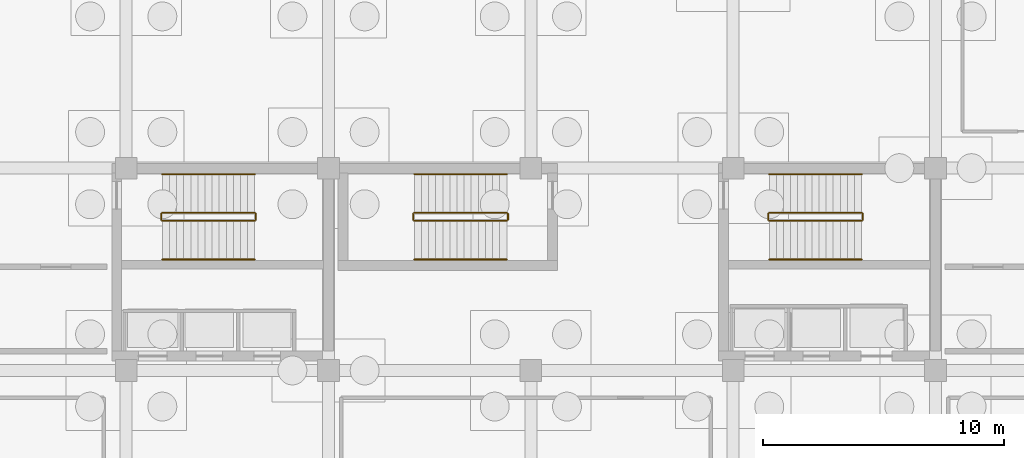
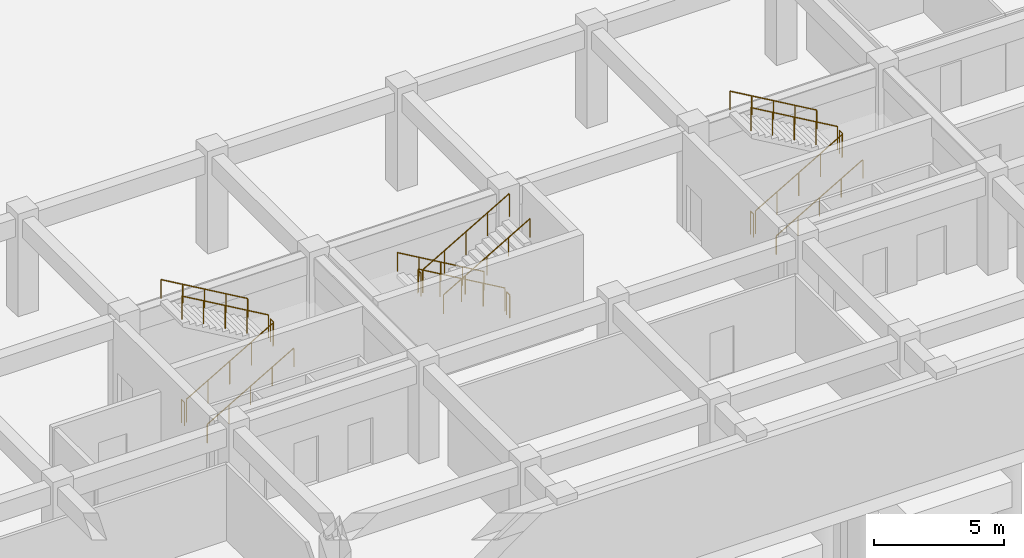
# One storey, part 27 of 35: 18 railings.
"""IFC4 building model written with IfcOpenShell, lengths in metres."""

from ifc_helpers import new_model, si_unit, direction, frame, origin, origin_2d, place, context, subcontext, project, spatial, circle, extrude, material, type_object, element, save


model = new_model("IFC4")

# Units and contexts
model_context = context("Model", 3, precision=1e-05, world=origin(), true_north=direction((0.0, 1.0)))
body_context = subcontext(model_context, "Body", "Model", "MODEL_VIEW")
ifc_project = project(units=[si_unit("LENGTHUNIT", "METRE"), si_unit("AREAUNIT", "SQUARE_METRE"), si_unit("VOLUMEUNIT", "CUBIC_METRE"), si_unit("PLANEANGLEUNIT", "RADIAN"), si_unit("MASSUNIT", "GRAM", prefix="KILO")], contexts=[model_context])

# Site, building, storey
site_placement = place(None, origin())
site = spatial("IfcSite", under=ifc_project, at=site_placement, CompositionType="ELEMENT")
building_placement = place(site_placement, origin())
building = spatial("IfcBuilding", under=site, at=building_placement, Name="Zayran Congress Hotel", CompositionType="ELEMENT")
storey_placement = place(building_placement, frame((0.0, 0.0, -4.800048828125)))
storey = spatial("IfcBuildingStorey", under=building, at=storey_placement, Name="B1", CompositionType="ELEMENT", Elevation=-4.800048828125)

# Railings
ifc_material_1 = material(Name="Painted steel balustrade", Category="steel")
railing_type_1 = type_object("IfcRailingType", Name="TP-GRD-INT", PredefinedType="GUARDRAIL", material=ifc_material_1)
railing_1_placement = place(storey_placement, frame((26.699951171875, 23.409912109375, 0.17138671875)))
element("IfcRailing", 1, at=railing_1_placement, inside=storey, type_object=railing_type_1, Name="B1 ST-01 stair guard 1", PredefinedType="GUARDRAIL", context=body_context, shape_type="SweptSolid", body=[
    extrude(circle(Radius=0.02392578125, at=origin_2d()), frame((0.0, 0.0, 1.076171875), z_axis=(0.864592272851, 0.0, 0.502474080651), x_axis=(0.0, 1.0, 0.0)), (0.0, 0.0, 1.0), 4.435546875),
    extrude(circle(Radius=0.02099609375, at=origin_2d()), origin(), (0.0, 0.0, 1.0), 1.052001953125),
    extrude(circle(Radius=0.02099609375, at=origin_2d()), frame((0.958740234375, 0.0, 0.55712890625)), (0.0, 0.0, 1.0), 1.052001953125),
    extrude(circle(Radius=0.02099609375, at=origin_2d()), frame((1.91748046875, 0.0, 1.1142578125)), (0.0, 0.0, 1.0), 1.052001953125),
    extrude(circle(Radius=0.02099609375, at=origin_2d()), frame((2.876220703125, 0.0, 1.671630859375)), (0.0, 0.0, 1.0), 1.052001953125),
    extrude(circle(Radius=0.02099609375, at=origin_2d()), frame((3.8349609375, 0.0, 2.228759765625)), (0.0, 0.0, 1.0), 1.052001953125),
])
railing_2_placement = place(storey_placement, frame((30.5849609375, 23.4599609375, 2.400146484375)))
element("IfcRailing", 2, at=railing_2_placement, inside=storey, type_object=railing_type_1, Name="B1 ST-01 stair guard 2", PredefinedType="GUARDRAIL", context=body_context, shape_type="SweptSolid", body=[
    extrude(circle(Radius=0.02392578125, at=origin_2d()), frame((0.0, 0.0, 1.076171875), z_axis=(0.0, 1.0, 0.0), x_axis=(-1.0, 0.0, 0.0)), (0.0, 0.0, 1.0), 0.239990234375),
    extrude(circle(Radius=0.02099609375, at=origin_2d()), origin(), (0.0, 0.0, 1.0), 1.052001953125),
    extrude(circle(Radius=0.02099609375, at=origin_2d()), frame((0.0, 0.239990234375, 0.0)), (0.0, 0.0, 1.0), 1.052001953125),
])
railing_3_placement = place(storey_placement, frame((30.534912109375, 23.75, 2.571533203125)))
element("IfcRailing", 3, at=railing_3_placement, inside=storey, type_object=railing_type_1, Name="B1 ST-01 stair guard 3", PredefinedType="GUARDRAIL", context=body_context, shape_type="SweptSolid", body=[
    extrude(circle(Radius=0.02392578125, at=origin_2d()), frame((0.0, 0.0, 1.076171875), z_axis=(-0.86461618451, 0.0, 0.502432934314), x_axis=(0.0, -1.0, 0.0)), (0.0, 0.0, 1.0), 4.435546875),
    extrude(circle(Radius=0.02099609375, at=origin_2d()), origin(), (0.0, 0.0, 1.0), 1.052001953125),
    extrude(circle(Radius=0.02099609375, at=origin_2d()), frame((-0.958740234375, 0.0, 0.55712890625)), (0.0, 0.0, 1.0), 1.052001953125),
    extrude(circle(Radius=0.02099609375, at=origin_2d()), frame((-1.91748046875, 0.0, 1.1142578125)), (0.0, 0.0, 1.0), 1.052001953125),
    extrude(circle(Radius=0.02099609375, at=origin_2d()), frame((-2.876220703125, 0.0, 1.67138671875)), (0.0, 0.0, 1.0), 1.052001953125),
    extrude(circle(Radius=0.02099609375, at=origin_2d()), frame((-3.8349609375, 0.0, 2.228515625)), (0.0, 0.0, 1.0), 1.052001953125),
])
railing_4_placement = place(storey_placement, frame((26.64990234375, 23.4599609375, 0.0)))
element("IfcRailing", 4, at=railing_4_placement, inside=storey, type_object=railing_type_1, Name="B1 ST-01 stair guard 4", PredefinedType="GUARDRAIL", context=body_context, shape_type="SweptSolid", body=[
    extrude(circle(Radius=0.02392578125, at=origin_2d()), frame((0.0, 0.0, 1.076171875), z_axis=(0.0, 1.0, 0.0), x_axis=(-1.0, 0.0, 0.0)), (0.0, 0.0, 1.0), 0.239990234375),
    extrude(circle(Radius=0.02099609375, at=origin_2d()), origin(), (0.0, 0.0, 1.0), 1.052001953125),
    extrude(circle(Radius=0.02099609375, at=origin_2d()), frame((0.0, 0.239990234375, 0.0)), (0.0, 0.0, 1.0), 1.052001953125),
])
railing_5_placement = place(storey_placement, frame((51.89990234375, 23.409912109375, 0.17138671875)))
element("IfcRailing", 5, at=railing_5_placement, inside=storey, type_object=railing_type_1, Name="B1 ST-02 stair guard 1", PredefinedType="GUARDRAIL", context=body_context, shape_type="SweptSolid", body=[
    extrude(circle(Radius=0.02392578125, at=origin_2d()), frame((0.0, 0.0, 1.076171875), z_axis=(0.864606168755, 0.0, 0.50245016962), x_axis=(0.0, 1.0, 0.0)), (0.0, 0.0, 1.0), 4.435791015625),
    extrude(circle(Radius=0.02099609375, at=origin_2d()), origin(), (0.0, 0.0, 1.0), 1.052001953125),
    extrude(circle(Radius=0.02099609375, at=origin_2d()), frame((0.958740234375, 0.0, 0.55712890625)), (0.0, 0.0, 1.0), 1.052001953125),
    extrude(circle(Radius=0.02099609375, at=origin_2d()), frame((1.91748046875, 0.0, 1.1142578125)), (0.0, 0.0, 1.0), 1.052001953125),
    extrude(circle(Radius=0.02099609375, at=origin_2d()), frame((2.87646484375, 0.0, 1.671630859375)), (0.0, 0.0, 1.0), 1.052001953125),
    extrude(circle(Radius=0.02099609375, at=origin_2d()), frame((3.835205078125, 0.0, 2.228759765625)), (0.0, 0.0, 1.0), 1.052001953125),
])
railing_6_placement = place(storey_placement, frame((55.784912109375, 23.4599609375, 2.400146484375)))
element("IfcRailing", 6, at=railing_6_placement, inside=storey, type_object=railing_type_1, Name="B1 ST-02 stair guard 2", PredefinedType="GUARDRAIL", context=body_context, shape_type="SweptSolid", body=[
    extrude(circle(Radius=0.02392578125, at=origin_2d()), frame((0.0, 0.0, 1.076171875), z_axis=(0.0, 1.0, 0.0), x_axis=(-1.0, 0.0, 0.0)), (0.0, 0.0, 1.0), 0.239990234375),
    extrude(circle(Radius=0.02099609375, at=origin_2d()), origin(), (0.0, 0.0, 1.0), 1.052001953125),
    extrude(circle(Radius=0.02099609375, at=origin_2d()), frame((0.0, 0.239990234375, 0.0)), (0.0, 0.0, 1.0), 1.052001953125),
])
railing_7_placement = place(storey_placement, frame((55.735107421875, 23.75, 2.571533203125)))
element("IfcRailing", 7, at=railing_7_placement, inside=storey, type_object=railing_type_1, Name="B1 ST-02 stair guard 3", PredefinedType="GUARDRAIL", context=body_context, shape_type="SweptSolid", body=[
    extrude(circle(Radius=0.02392578125, at=origin_2d()), frame((0.0, 0.0, 1.076171875), z_axis=(-0.864630078522, 0.0, 0.502409023919), x_axis=(0.0, -1.0, 0.0)), (0.0, 0.0, 1.0), 4.435546875),
    extrude(circle(Radius=0.02099609375, at=origin_2d()), origin(), (0.0, 0.0, 1.0), 1.052001953125),
    extrude(circle(Radius=0.02099609375, at=origin_2d()), frame((-0.958740234375, 0.0, 0.55712890625)), (0.0, 0.0, 1.0), 1.052001953125),
    extrude(circle(Radius=0.02099609375, at=origin_2d()), frame((-1.91748046875, 0.0, 1.1142578125)), (0.0, 0.0, 1.0), 1.052001953125),
    extrude(circle(Radius=0.02099609375, at=origin_2d()), frame((-2.87646484375, 0.0, 1.67138671875)), (0.0, 0.0, 1.0), 1.052001953125),
    extrude(circle(Radius=0.02099609375, at=origin_2d()), frame((-3.835205078125, 0.0, 2.228515625)), (0.0, 0.0, 1.0), 1.052001953125),
])
railing_8_placement = place(storey_placement, frame((51.85009765625, 23.4599609375, 0.0)))
element("IfcRailing", 8, at=railing_8_placement, inside=storey, type_object=railing_type_1, Name="B1 ST-02 stair guard 4", PredefinedType="GUARDRAIL", context=body_context, shape_type="SweptSolid", body=[
    extrude(circle(Radius=0.02392578125, at=origin_2d()), frame((0.0, 0.0, 1.076171875), z_axis=(0.0, 1.0, 0.0), x_axis=(-1.0, 0.0, 0.0)), (0.0, 0.0, 1.0), 0.239990234375),
    extrude(circle(Radius=0.02099609375, at=origin_2d()), origin(), (0.0, 0.0, 1.0), 1.052001953125),
    extrude(circle(Radius=0.02099609375, at=origin_2d()), frame((0.0, 0.239990234375, 0.0)), (0.0, 0.0, 1.0), 1.052001953125),
])
railing_9_placement = place(storey_placement, frame((41.0, 23.75, 0.17138671875)))
element("IfcRailing", 9, at=railing_9_placement, inside=storey, type_object=railing_type_1, Name="B1 ST-13 stair guard 1", PredefinedType="GUARDRAIL", context=body_context, shape_type="SweptSolid", body=[
    extrude(circle(Radius=0.02392578125, at=origin_2d()), frame((0.0, 0.0, 1.076171875), z_axis=(-0.864592272851, 0.0, 0.502474080651), x_axis=(0.0, -1.0, 0.0)), (0.0, 0.0, 1.0), 4.435546875),
    extrude(circle(Radius=0.02099609375, at=origin_2d()), origin(), (0.0, 0.0, 1.0), 1.052001953125),
    extrude(circle(Radius=0.02099609375, at=origin_2d()), frame((-0.958740234375, 0.0, 0.55712890625)), (0.0, 0.0, 1.0), 1.052001953125),
    extrude(circle(Radius=0.02099609375, at=origin_2d()), frame((-1.91748046875, 0.0, 1.1142578125)), (0.0, 0.0, 1.0), 1.052001953125),
    extrude(circle(Radius=0.02099609375, at=origin_2d()), frame((-2.876220703125, 0.0, 1.671630859375)), (0.0, 0.0, 1.0), 1.052001953125),
    extrude(circle(Radius=0.02099609375, at=origin_2d()), frame((-3.8349609375, 0.0, 2.228759765625)), (0.0, 0.0, 1.0), 1.052001953125),
])
railing_10_placement = place(storey_placement, frame((37.114990234375, 23.699951171875, 2.400146484375)))
element("IfcRailing", 10, at=railing_10_placement, inside=storey, type_object=railing_type_1, Name="B1 ST-13 stair guard 2", PredefinedType="GUARDRAIL", context=body_context, shape_type="SweptSolid", body=[
    extrude(circle(Radius=0.02392578125, at=origin_2d()), frame((0.0, 0.0, 1.076171875), z_axis=(0.0, -1.0, 0.0), x_axis=(1.0, 0.0, 0.0)), (0.0, 0.0, 1.0), 0.239990234375),
    extrude(circle(Radius=0.02099609375, at=origin_2d()), origin(), (0.0, 0.0, 1.0), 1.052001953125),
    extrude(circle(Radius=0.02099609375, at=origin_2d()), frame((0.0, -0.239990234375, 0.0)), (0.0, 0.0, 1.0), 1.052001953125),
])
railing_11_placement = place(storey_placement, frame((37.1650390625, 23.409912109375, 2.571533203125)))
element("IfcRailing", 11, at=railing_11_placement, inside=storey, type_object=railing_type_1, Name="B1 ST-13 stair guard 3", PredefinedType="GUARDRAIL", context=body_context, shape_type="SweptSolid", body=[
    extrude(circle(Radius=0.02392578125, at=origin_2d()), frame((0.0, 0.0, 1.076171875), z_axis=(0.86461618451, 0.0, 0.502432934314), x_axis=(0.0, 1.0, 0.0)), (0.0, 0.0, 1.0), 4.435546875),
    extrude(circle(Radius=0.02099609375, at=origin_2d()), origin(), (0.0, 0.0, 1.0), 1.052001953125),
    extrude(circle(Radius=0.02099609375, at=origin_2d()), frame((0.958740234375, 0.0, 0.55712890625)), (0.0, 0.0, 1.0), 1.052001953125),
    extrude(circle(Radius=0.02099609375, at=origin_2d()), frame((1.91748046875, 0.0, 1.1142578125)), (0.0, 0.0, 1.0), 1.052001953125),
    extrude(circle(Radius=0.02099609375, at=origin_2d()), frame((2.876220703125, 0.0, 1.67138671875)), (0.0, 0.0, 1.0), 1.052001953125),
    extrude(circle(Radius=0.02099609375, at=origin_2d()), frame((3.8349609375, 0.0, 2.228515625)), (0.0, 0.0, 1.0), 1.052001953125),
])
railing_12_placement = place(storey_placement, frame((41.050048828125, 23.699951171875, 0.0)))
element("IfcRailing", 12, at=railing_12_placement, inside=storey, type_object=railing_type_1, Name="B1 ST-13 stair guard 4", PredefinedType="GUARDRAIL", context=body_context, shape_type="SweptSolid", body=[
    extrude(circle(Radius=0.02392578125, at=origin_2d()), frame((0.0, 0.0, 1.076171875), z_axis=(0.0, -1.0, 0.0), x_axis=(1.0, 0.0, 0.0)), (0.0, 0.0, 1.0), 0.239990234375),
    extrude(circle(Radius=0.02099609375, at=origin_2d()), origin(), (0.0, 0.0, 1.0), 1.052001953125),
    extrude(circle(Radius=0.02099609375, at=origin_2d()), frame((0.0, -0.239990234375, 0.0)), (0.0, 0.0, 1.0), 1.052001953125),
])
ifc_material_2 = material(Name="Brushed stainless steel handrail", Category="steel")
railing_type_2 = type_object("IfcRailingType", Name="TP-HND-STR", PredefinedType="HANDRAIL", material=ifc_material_2)
railing_13_placement = place(storey_placement, frame((26.699951171875, 21.81005859375, 0.17138671875)))
element("IfcRailing", 13, at=railing_13_placement, inside=storey, type_object=railing_type_2, Name="B1 ST-01 stair handrail 1", PredefinedType="HANDRAIL", context=body_context, shape_type="SweptSolid", body=[
    extrude(circle(Radius=0.02392578125, at=origin_2d()), frame((0.0, 0.0, 0.8759765625), z_axis=(0.864592272851, 0.0, 0.502474080651), x_axis=(0.0, 1.0, 0.0)), (0.0, 0.0, 1.0), 4.435546875),
    extrude(circle(Radius=0.02099609375, at=origin_2d()), origin(), (0.0, 0.0, 1.0), 0.851806640625),
    extrude(circle(Radius=0.02099609375, at=origin_2d()), frame((0.958740234375, 0.0, 0.55712890625)), (0.0, 0.0, 1.0), 0.851806640625),
    extrude(circle(Radius=0.02099609375, at=origin_2d()), frame((1.91748046875, 0.0, 1.1142578125)), (0.0, 0.0, 1.0), 0.851806640625),
    extrude(circle(Radius=0.02099609375, at=origin_2d()), frame((2.876220703125, 0.0, 1.671630859375)), (0.0, 0.0, 1.0), 0.851806640625),
    extrude(circle(Radius=0.02099609375, at=origin_2d()), frame((3.8349609375, 0.0, 2.228759765625)), (0.0, 0.0, 1.0), 0.851806640625),
])
railing_14_placement = place(storey_placement, frame((30.534912109375, 25.35009765625, 2.571533203125)))
element("IfcRailing", 14, at=railing_14_placement, inside=storey, type_object=railing_type_2, Name="B1 ST-01 stair handrail 2", PredefinedType="HANDRAIL", context=body_context, shape_type="SweptSolid", body=[
    extrude(circle(Radius=0.02392578125, at=origin_2d()), frame((0.0, 0.0, 0.8759765625), z_axis=(-0.86461618451, 0.0, 0.502432934314), x_axis=(0.0, -1.0, 0.0)), (0.0, 0.0, 1.0), 4.435546875),
    extrude(circle(Radius=0.02099609375, at=origin_2d()), origin(), (0.0, 0.0, 1.0), 0.851806640625),
    extrude(circle(Radius=0.02099609375, at=origin_2d()), frame((-0.958740234375, 0.0, 0.55712890625)), (0.0, 0.0, 1.0), 0.851806640625),
    extrude(circle(Radius=0.02099609375, at=origin_2d()), frame((-1.91748046875, 0.0, 1.1142578125)), (0.0, 0.0, 1.0), 0.851806640625),
    extrude(circle(Radius=0.02099609375, at=origin_2d()), frame((-2.876220703125, 0.0, 1.67138671875)), (0.0, 0.0, 1.0), 0.851806640625),
    extrude(circle(Radius=0.02099609375, at=origin_2d()), frame((-3.8349609375, 0.0, 2.228515625)), (0.0, 0.0, 1.0), 0.851806640625),
])
railing_15_placement = place(storey_placement, frame((51.89990234375, 21.81005859375, 0.17138671875)))
element("IfcRailing", 15, at=railing_15_placement, inside=storey, type_object=railing_type_2, Name="B1 ST-02 stair handrail 1", PredefinedType="HANDRAIL", context=body_context, shape_type="SweptSolid", body=[
    extrude(circle(Radius=0.02392578125, at=origin_2d()), frame((0.0, 0.0, 0.8759765625), z_axis=(0.864606168755, 0.0, 0.50245016962), x_axis=(0.0, 1.0, 0.0)), (0.0, 0.0, 1.0), 4.435791015625),
    extrude(circle(Radius=0.02099609375, at=origin_2d()), origin(), (0.0, 0.0, 1.0), 0.851806640625),
    extrude(circle(Radius=0.02099609375, at=origin_2d()), frame((0.958740234375, 0.0, 0.55712890625)), (0.0, 0.0, 1.0), 0.851806640625),
    extrude(circle(Radius=0.02099609375, at=origin_2d()), frame((1.91748046875, 0.0, 1.1142578125)), (0.0, 0.0, 1.0), 0.851806640625),
    extrude(circle(Radius=0.02099609375, at=origin_2d()), frame((2.87646484375, 0.0, 1.671630859375)), (0.0, 0.0, 1.0), 0.851806640625),
    extrude(circle(Radius=0.02099609375, at=origin_2d()), frame((3.835205078125, 0.0, 2.228759765625)), (0.0, 0.0, 1.0), 0.851806640625),
])
railing_16_placement = place(storey_placement, frame((55.735107421875, 25.35009765625, 2.571533203125)))
element("IfcRailing", 16, at=railing_16_placement, inside=storey, type_object=railing_type_2, Name="B1 ST-02 stair handrail 2", PredefinedType="HANDRAIL", context=body_context, shape_type="SweptSolid", body=[
    extrude(circle(Radius=0.02392578125, at=origin_2d()), frame((0.0, 0.0, 0.8759765625), z_axis=(-0.864630078522, 0.0, 0.502409023919), x_axis=(0.0, -1.0, 0.0)), (0.0, 0.0, 1.0), 4.435546875),
    extrude(circle(Radius=0.02099609375, at=origin_2d()), origin(), (0.0, 0.0, 1.0), 0.851806640625),
    extrude(circle(Radius=0.02099609375, at=origin_2d()), frame((-0.958740234375, 0.0, 0.55712890625)), (0.0, 0.0, 1.0), 0.851806640625),
    extrude(circle(Radius=0.02099609375, at=origin_2d()), frame((-1.91748046875, 0.0, 1.1142578125)), (0.0, 0.0, 1.0), 0.851806640625),
    extrude(circle(Radius=0.02099609375, at=origin_2d()), frame((-2.87646484375, 0.0, 1.67138671875)), (0.0, 0.0, 1.0), 0.851806640625),
    extrude(circle(Radius=0.02099609375, at=origin_2d()), frame((-3.835205078125, 0.0, 2.228515625)), (0.0, 0.0, 1.0), 0.851806640625),
])
railing_17_placement = place(storey_placement, frame((41.0, 25.35009765625, 0.17138671875)))
element("IfcRailing", 17, at=railing_17_placement, inside=storey, type_object=railing_type_2, Name="B1 ST-13 stair handrail 1", PredefinedType="HANDRAIL", context=body_context, shape_type="SweptSolid", body=[
    extrude(circle(Radius=0.02392578125, at=origin_2d()), frame((0.0, 0.0, 0.8759765625), z_axis=(-0.864592272851, 0.0, 0.502474080651), x_axis=(0.0, -1.0, 0.0)), (0.0, 0.0, 1.0), 4.435546875),
    extrude(circle(Radius=0.02099609375, at=origin_2d()), origin(), (0.0, 0.0, 1.0), 0.851806640625),
    extrude(circle(Radius=0.02099609375, at=origin_2d()), frame((-0.958740234375, 0.0, 0.55712890625)), (0.0, 0.0, 1.0), 0.851806640625),
    extrude(circle(Radius=0.02099609375, at=origin_2d()), frame((-1.91748046875, 0.0, 1.1142578125)), (0.0, 0.0, 1.0), 0.851806640625),
    extrude(circle(Radius=0.02099609375, at=origin_2d()), frame((-2.876220703125, 0.0, 1.671630859375)), (0.0, 0.0, 1.0), 0.851806640625),
    extrude(circle(Radius=0.02099609375, at=origin_2d()), frame((-3.8349609375, 0.0, 2.228759765625)), (0.0, 0.0, 1.0), 0.851806640625),
])
railing_18_placement = place(storey_placement, frame((37.1650390625, 21.81005859375, 2.571533203125)))
element("IfcRailing", 18, at=railing_18_placement, inside=storey, type_object=railing_type_2, Name="B1 ST-13 stair handrail 2", PredefinedType="HANDRAIL", context=body_context, shape_type="SweptSolid", body=[
    extrude(circle(Radius=0.02392578125, at=origin_2d()), frame((0.0, 0.0, 0.8759765625), z_axis=(0.86461618451, 0.0, 0.502432934314), x_axis=(0.0, 1.0, 0.0)), (0.0, 0.0, 1.0), 4.435546875),
    extrude(circle(Radius=0.02099609375, at=origin_2d()), origin(), (0.0, 0.0, 1.0), 0.851806640625),
    extrude(circle(Radius=0.02099609375, at=origin_2d()), frame((0.958740234375, 0.0, 0.55712890625)), (0.0, 0.0, 1.0), 0.851806640625),
    extrude(circle(Radius=0.02099609375, at=origin_2d()), frame((1.91748046875, 0.0, 1.1142578125)), (0.0, 0.0, 1.0), 0.851806640625),
    extrude(circle(Radius=0.02099609375, at=origin_2d()), frame((2.876220703125, 0.0, 1.67138671875)), (0.0, 0.0, 1.0), 0.851806640625),
    extrude(circle(Radius=0.02099609375, at=origin_2d()), frame((3.8349609375, 0.0, 2.228515625)), (0.0, 0.0, 1.0), 0.851806640625),
])

save(model, "model.ifc")
